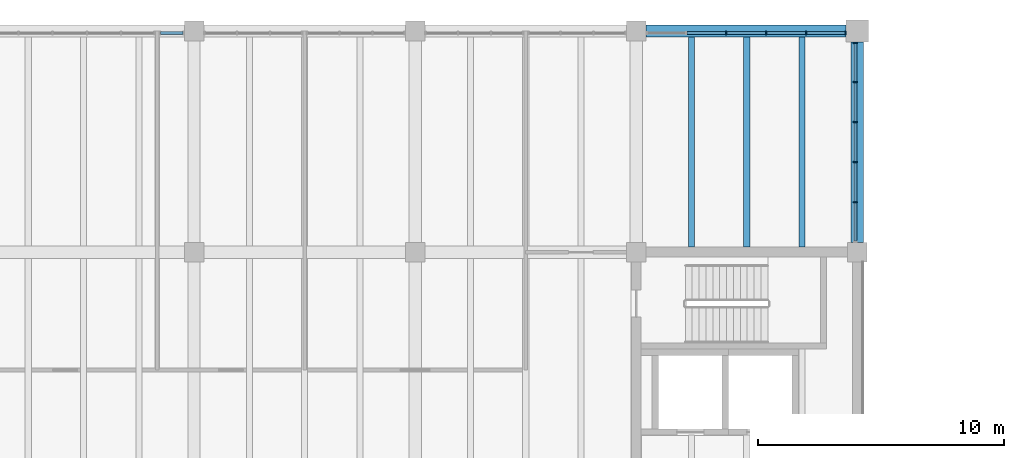
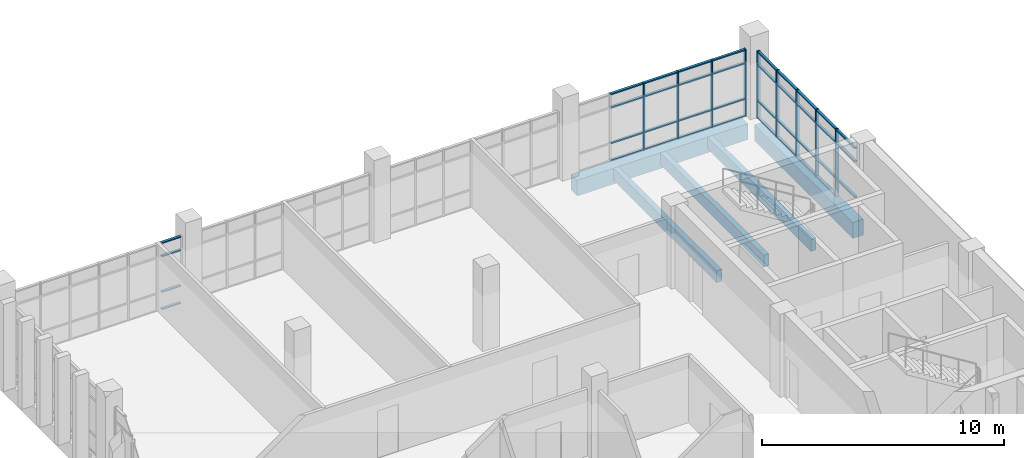
# One storey, part 11 of 29: 48 members, 5 beams, 3 elements without a shape of their own.
"""IFC4 building model written with IfcOpenShell, lengths in metres."""

from ifc_helpers import new_model, si_unit, direction, frame, origin, origin_2d, place, context, subcontext, project, spatial, rectangle, extrude, material, material_profile, profile_set, type_object, element, aggregate, save


model = new_model("IFC4")

# Units and contexts
model_context = context("Model", 3, precision=1e-05, world=origin(), true_north=direction((0.0, 1.0)))
body_context = subcontext(model_context, "Body", "Model", "MODEL_VIEW")
ifc_project = project(units=[si_unit("LENGTHUNIT", "METRE"), si_unit("AREAUNIT", "SQUARE_METRE"), si_unit("VOLUMEUNIT", "CUBIC_METRE"), si_unit("PLANEANGLEUNIT", "RADIAN"), si_unit("MASSUNIT", "GRAM", prefix="KILO")], contexts=[model_context])

# Site, building, storey
site_placement = place(None, origin())
site = spatial("IfcSite", under=ifc_project, at=site_placement, CompositionType="ELEMENT")
building_placement = place(site_placement, origin())
building = spatial("IfcBuilding", under=site, at=building_placement, Name="Merrow Basin Faculty of Sciences", CompositionType="ELEMENT")
storey_placement = place(building_placement, frame((0.0, 0.0, 22.5)))
storey = spatial("IfcBuildingStorey", under=building, at=storey_placement, Name="L05", CompositionType="ELEMENT", Elevation=22.5)

# Curtain wall, members
ifc_material_1 = material(Name="Aluminium alloy 6063", Category="aluminium")
curtain_wall_type = type_object("IfcCurtainWallType", Name="Unitised curtain wall 160", PredefinedType="NOTDEFINED", material=ifc_material_1)
curtain_wall_1_placement = place(storey_placement, origin())
curtain_wall_1 = element("IfcCurtainWall", 1, at=curtain_wall_1_placement, inside=storey, type_object=curtain_wall_type, Name="N curtain wall L05 7", PredefinedType="NOTDEFINED")
ifc_material_2 = material(Name="Aluminium alloy 6063", Category="aluminium")
ifc_material_profile_1 = material_profile(ifc_material_2, rectangle(XDim=0.159912109375, YDim=0.06005859375, at=origin_2d()))
ifc_profile_set_1 = profile_set([ifc_material_profile_1], Name="Aluminium alloy 6063")
member_type_1 = type_object("IfcMemberType", Name="Aluminium mullion 60x160", PredefinedType="MULLION", material=ifc_profile_set_1)
member_1_placement = place(storey_placement, frame((48.659912109375, 168.919921875, 0.0), z_axis=(0.0, 0.0, 1.0), x_axis=(0.0, 1.0, 0.0)))
member_1 = element("IfcMember", 2, at=member_1_placement, type_object=member_type_1, Name="CW3 mullion 3", PredefinedType="MULLION", context=body_context, shape_type="SweptSolid", body=[
    extrude(rectangle(XDim=0.159912109375, YDim=0.06005859375, at=origin_2d()), origin(), (0.0, 0.0, 1.0), 3.39990234375),
])
member_2_placement = place(storey_placement, frame((50.2900390625, 168.919921875, 0.0), z_axis=(0.0, 0.0, 1.0), x_axis=(0.0, 1.0, 0.0)))
member_2 = element("IfcMember", 3, at=member_2_placement, type_object=member_type_1, Name="CW3 mullion 4", PredefinedType="MULLION", context=body_context, shape_type="SweptSolid", body=[
    extrude(rectangle(XDim=0.159912109375, YDim=0.06005859375, at=origin_2d()), origin(), (0.0, 0.0, 1.0), 3.39990234375),
])
member_3_placement = place(storey_placement, frame((51.919921875, 168.919921875, 0.0), z_axis=(0.0, 0.0, 1.0), x_axis=(0.0, 1.0, 0.0)))
member_3 = element("IfcMember", 4, at=member_3_placement, type_object=member_type_1, Name="CW3 mullion 5", PredefinedType="MULLION", context=body_context, shape_type="SweptSolid", body=[
    extrude(rectangle(XDim=0.159912109375, YDim=0.06005859375, at=origin_2d()), origin(), (0.0, 0.0, 1.0), 3.39990234375),
])
member_4_placement = place(storey_placement, frame((53.52001953125, 168.919921875, 0.0), z_axis=(0.0, 0.0, 1.0), x_axis=(0.0, 1.0, 0.0)))
member_4 = element("IfcMember", 5, at=member_4_placement, type_object=member_type_1, Name="CW3 mullion 6", PredefinedType="MULLION", context=body_context, shape_type="SweptSolid", body=[
    extrude(rectangle(XDim=0.159912109375, YDim=0.06005859375, at=origin_2d()), origin(), (0.0, 0.0, 1.0), 3.39990234375),
])

curtain_wall_2_placement = place(storey_placement, origin())
curtain_wall_2 = element("IfcCurtainWall", 6, at=curtain_wall_2_placement, inside=storey, type_object=curtain_wall_type, Name="E curtain wall L05 1", PredefinedType="NOTDEFINED")
member_5_placement = place(storey_placement, frame((53.919921875, 162.030029296875, 0.0), z_axis=(0.0, 0.0, 1.0), x_axis=(-1.0, 0.0, 0.0)))
member_5 = element("IfcMember", 7, at=member_5_placement, type_object=member_type_1, Name="CW3 mullion 2", PredefinedType="MULLION", context=body_context, shape_type="SweptSolid", body=[
    extrude(rectangle(XDim=0.159912109375, YDim=0.06005859375, at=origin_2d()), origin(), (0.0, 0.0, 1.0), 3.39990234375),
])
member_6_placement = place(storey_placement, frame((53.919921875, 163.659912109375, 0.0), z_axis=(0.0, 0.0, 1.0), x_axis=(-1.0, 0.0, 0.0)))
member_6 = element("IfcMember", 8, at=member_6_placement, type_object=member_type_1, Name="CW3 mullion 3", PredefinedType="MULLION", context=body_context, shape_type="SweptSolid", body=[
    extrude(rectangle(XDim=0.159912109375, YDim=0.06005859375, at=origin_2d()), origin(), (0.0, 0.0, 1.0), 3.39990234375),
])
member_7_placement = place(storey_placement, frame((53.919921875, 165.2900390625, 0.0), z_axis=(0.0, 0.0, 1.0), x_axis=(-1.0, 0.0, 0.0)))
member_7 = element("IfcMember", 9, at=member_7_placement, type_object=member_type_1, Name="CW3 mullion 4", PredefinedType="MULLION", context=body_context, shape_type="SweptSolid", body=[
    extrude(rectangle(XDim=0.159912109375, YDim=0.06005859375, at=origin_2d()), origin(), (0.0, 0.0, 1.0), 3.39990234375),
])
member_8_placement = place(storey_placement, frame((53.919921875, 166.919921875, 0.0), z_axis=(0.0, 0.0, 1.0), x_axis=(-1.0, 0.0, 0.0)))
member_8 = element("IfcMember", 10, at=member_8_placement, type_object=member_type_1, Name="CW3 mullion 5", PredefinedType="MULLION", context=body_context, shape_type="SweptSolid", body=[
    extrude(rectangle(XDim=0.159912109375, YDim=0.06005859375, at=origin_2d()), origin(), (0.0, 0.0, 1.0), 3.39990234375),
])
member_9_placement = place(storey_placement, frame((53.919921875, 168.52001953125, 0.0), z_axis=(0.0, 0.0, 1.0), x_axis=(-1.0, 0.0, 0.0)))
member_9 = element("IfcMember", 11, at=member_9_placement, type_object=member_type_1, Name="CW3 mullion 6", PredefinedType="MULLION", context=body_context, shape_type="SweptSolid", body=[
    extrude(rectangle(XDim=0.159912109375, YDim=0.06005859375, at=origin_2d()), origin(), (0.0, 0.0, 1.0), 3.39990234375),
])

curtain_wall_3_placement = place(storey_placement, origin())
curtain_wall_3 = element("IfcCurtainWall", 12, at=curtain_wall_3_placement, inside=storey, type_object=curtain_wall_type, Name="N curtain wall L05 2", PredefinedType="NOTDEFINED")
ifc_material_3 = material(Name="Aluminium alloy 6063", Category="aluminium")
ifc_material_profile_2 = material_profile(ifc_material_3, rectangle(XDim=0.1201171875, YDim=0.06005859375, at=origin_2d()))
ifc_profile_set_2 = profile_set([ifc_material_profile_2], Name="Aluminium alloy 6063")
member_type_2 = type_object("IfcMemberType", Name="Aluminium transom 60x120", PredefinedType="USERDEFINED", material=ifc_profile_set_2)
member_10_placement = place(storey_placement, frame((25.635009765625, 168.919921875, 0.030029296875), z_axis=(1.0, 0.0, 0.0), x_axis=(0.0, 1.0, 0.0)))
member_10 = element("IfcMember", 13, at=member_10_placement, type_object=member_type_2, Name="CW3 transom 1.1", ObjectType="TRANSOM", PredefinedType="USERDEFINED", context=body_context, shape_type="SweptSolid", body=[
    extrude(rectangle(XDim=0.1201171875, YDim=0.06005859375, at=origin_2d()), origin(), (0.0, 0.0, 1.0), 0.905029296875),
])
member_11_placement = place(storey_placement, frame((25.635009765625, 168.919921875, 0.89990234375), z_axis=(1.0, 0.0, 0.0), x_axis=(0.0, 1.0, 0.0)))
member_11 = element("IfcMember", 14, at=member_11_placement, type_object=member_type_2, Name="CW3 transom 1.2", ObjectType="TRANSOM", PredefinedType="USERDEFINED", context=body_context, shape_type="SweptSolid", body=[
    extrude(rectangle(XDim=0.1201171875, YDim=0.06005859375, at=origin_2d()), origin(), (0.0, 0.0, 1.0), 0.905029296875),
])
member_12_placement = place(storey_placement, frame((25.635009765625, 168.919921875, 2.699951171875), z_axis=(1.0, 0.0, 0.0), x_axis=(0.0, 1.0, 0.0)))
member_12 = element("IfcMember", 15, at=member_12_placement, type_object=member_type_2, Name="CW3 transom 1.3", ObjectType="TRANSOM", PredefinedType="USERDEFINED", context=body_context, shape_type="SweptSolid", body=[
    extrude(rectangle(XDim=0.1201171875, YDim=0.06005859375, at=origin_2d()), origin(), (0.0, 0.0, 1.0), 0.905029296875),
])
member_13_placement = place(storey_placement, frame((25.635009765625, 168.919921875, 3.3701171875), z_axis=(1.0, 0.0, 0.0), x_axis=(0.0, 1.0, 0.0)))
member_13 = element("IfcMember", 16, at=member_13_placement, type_object=member_type_2, Name="CW3 transom 1.4", ObjectType="TRANSOM", PredefinedType="USERDEFINED", context=body_context, shape_type="SweptSolid", body=[
    extrude(rectangle(XDim=0.1201171875, YDim=0.06005859375, at=origin_2d()), origin(), (0.0, 0.0, 1.0), 0.905029296875),
])
aggregate(curtain_wall_3, [member_10, member_11, member_12, member_13])

# Member
member_14_placement = place(storey_placement, frame((47.06005859375, 168.919921875, 0.030029296875), z_axis=(1.0, 0.0, 0.0), x_axis=(0.0, 1.0, 0.0)))
member_14 = element("IfcMember", 17, at=member_14_placement, type_object=member_type_2, Name="CW3 transom 2.1", ObjectType="TRANSOM", PredefinedType="USERDEFINED", context=body_context, shape_type="SweptSolid", body=[
    extrude(rectangle(XDim=0.1201171875, YDim=0.06005859375, at=origin_2d()), origin(), (0.0, 0.0, 1.0), 1.56982421875),
])

member_15_placement = place(storey_placement, frame((47.06005859375, 168.919921875, 0.89990234375), z_axis=(1.0, 0.0, 0.0), x_axis=(0.0, 1.0, 0.0)))
member_15 = element("IfcMember", 18, at=member_15_placement, type_object=member_type_2, Name="CW3 transom 2.2", ObjectType="TRANSOM", PredefinedType="USERDEFINED", context=body_context, shape_type="SweptSolid", body=[
    extrude(rectangle(XDim=0.1201171875, YDim=0.06005859375, at=origin_2d()), origin(), (0.0, 0.0, 1.0), 1.56982421875),
])

member_16_placement = place(storey_placement, frame((47.06005859375, 168.919921875, 2.699951171875), z_axis=(1.0, 0.0, 0.0), x_axis=(0.0, 1.0, 0.0)))
member_16 = element("IfcMember", 19, at=member_16_placement, type_object=member_type_2, Name="CW3 transom 2.3", ObjectType="TRANSOM", PredefinedType="USERDEFINED", context=body_context, shape_type="SweptSolid", body=[
    extrude(rectangle(XDim=0.1201171875, YDim=0.06005859375, at=origin_2d()), origin(), (0.0, 0.0, 1.0), 1.56982421875),
])

member_17_placement = place(storey_placement, frame((47.06005859375, 168.919921875, 3.3701171875), z_axis=(1.0, 0.0, 0.0), x_axis=(0.0, 1.0, 0.0)))
member_17 = element("IfcMember", 20, at=member_17_placement, type_object=member_type_2, Name="CW3 transom 2.4", ObjectType="TRANSOM", PredefinedType="USERDEFINED", context=body_context, shape_type="SweptSolid", body=[
    extrude(rectangle(XDim=0.1201171875, YDim=0.06005859375, at=origin_2d()), origin(), (0.0, 0.0, 1.0), 1.56982421875),
])

member_18_placement = place(storey_placement, frame((48.68994140625, 168.919921875, 0.030029296875), z_axis=(1.0, 0.0, 0.0), x_axis=(0.0, 1.0, 0.0)))
member_18 = element("IfcMember", 21, at=member_18_placement, type_object=member_type_2, Name="CW3 transom 3.1", ObjectType="TRANSOM", PredefinedType="USERDEFINED", context=body_context, shape_type="SweptSolid", body=[
    extrude(rectangle(XDim=0.1201171875, YDim=0.06005859375, at=origin_2d()), origin(), (0.0, 0.0, 1.0), 1.570068359375),
])

member_19_placement = place(storey_placement, frame((48.68994140625, 168.919921875, 0.89990234375), z_axis=(1.0, 0.0, 0.0), x_axis=(0.0, 1.0, 0.0)))
member_19 = element("IfcMember", 22, at=member_19_placement, type_object=member_type_2, Name="CW3 transom 3.2", ObjectType="TRANSOM", PredefinedType="USERDEFINED", context=body_context, shape_type="SweptSolid", body=[
    extrude(rectangle(XDim=0.1201171875, YDim=0.06005859375, at=origin_2d()), origin(), (0.0, 0.0, 1.0), 1.570068359375),
])

member_20_placement = place(storey_placement, frame((48.68994140625, 168.919921875, 2.699951171875), z_axis=(1.0, 0.0, 0.0), x_axis=(0.0, 1.0, 0.0)))
member_20 = element("IfcMember", 23, at=member_20_placement, type_object=member_type_2, Name="CW3 transom 3.3", ObjectType="TRANSOM", PredefinedType="USERDEFINED", context=body_context, shape_type="SweptSolid", body=[
    extrude(rectangle(XDim=0.1201171875, YDim=0.06005859375, at=origin_2d()), origin(), (0.0, 0.0, 1.0), 1.570068359375),
])

member_21_placement = place(storey_placement, frame((48.68994140625, 168.919921875, 3.3701171875), z_axis=(1.0, 0.0, 0.0), x_axis=(0.0, 1.0, 0.0)))
member_21 = element("IfcMember", 24, at=member_21_placement, type_object=member_type_2, Name="CW3 transom 3.4", ObjectType="TRANSOM", PredefinedType="USERDEFINED", context=body_context, shape_type="SweptSolid", body=[
    extrude(rectangle(XDim=0.1201171875, YDim=0.06005859375, at=origin_2d()), origin(), (0.0, 0.0, 1.0), 1.570068359375),
])

member_22_placement = place(storey_placement, frame((50.320068359375, 168.919921875, 0.030029296875), z_axis=(1.0, 0.0, 0.0), x_axis=(0.0, 1.0, 0.0)))
member_22 = element("IfcMember", 25, at=member_22_placement, type_object=member_type_2, Name="CW3 transom 4.1", ObjectType="TRANSOM", PredefinedType="USERDEFINED", context=body_context, shape_type="SweptSolid", body=[
    extrude(rectangle(XDim=0.1201171875, YDim=0.06005859375, at=origin_2d()), origin(), (0.0, 0.0, 1.0), 1.56982421875),
])

member_23_placement = place(storey_placement, frame((50.320068359375, 168.919921875, 0.89990234375), z_axis=(1.0, 0.0, 0.0), x_axis=(0.0, 1.0, 0.0)))
member_23 = element("IfcMember", 26, at=member_23_placement, type_object=member_type_2, Name="CW3 transom 4.2", ObjectType="TRANSOM", PredefinedType="USERDEFINED", context=body_context, shape_type="SweptSolid", body=[
    extrude(rectangle(XDim=0.1201171875, YDim=0.06005859375, at=origin_2d()), origin(), (0.0, 0.0, 1.0), 1.56982421875),
])

member_24_placement = place(storey_placement, frame((50.320068359375, 168.919921875, 2.699951171875), z_axis=(1.0, 0.0, 0.0), x_axis=(0.0, 1.0, 0.0)))
member_24 = element("IfcMember", 27, at=member_24_placement, type_object=member_type_2, Name="CW3 transom 4.3", ObjectType="TRANSOM", PredefinedType="USERDEFINED", context=body_context, shape_type="SweptSolid", body=[
    extrude(rectangle(XDim=0.1201171875, YDim=0.06005859375, at=origin_2d()), origin(), (0.0, 0.0, 1.0), 1.56982421875),
])

member_25_placement = place(storey_placement, frame((50.320068359375, 168.919921875, 3.3701171875), z_axis=(1.0, 0.0, 0.0), x_axis=(0.0, 1.0, 0.0)))
member_25 = element("IfcMember", 28, at=member_25_placement, type_object=member_type_2, Name="CW3 transom 4.4", ObjectType="TRANSOM", PredefinedType="USERDEFINED", context=body_context, shape_type="SweptSolid", body=[
    extrude(rectangle(XDim=0.1201171875, YDim=0.06005859375, at=origin_2d()), origin(), (0.0, 0.0, 1.0), 1.56982421875),
])

member_26_placement = place(storey_placement, frame((51.949951171875, 168.919921875, 0.030029296875), z_axis=(1.0, 0.0, 0.0), x_axis=(0.0, 1.0, 0.0)))
member_26 = element("IfcMember", 29, at=member_26_placement, type_object=member_type_2, Name="CW3 transom 5.1", ObjectType="TRANSOM", PredefinedType="USERDEFINED", context=body_context, shape_type="SweptSolid", body=[
    extrude(rectangle(XDim=0.1201171875, YDim=0.06005859375, at=origin_2d()), origin(), (0.0, 0.0, 1.0), 1.5400390625),
])

member_27_placement = place(storey_placement, frame((51.949951171875, 168.919921875, 0.89990234375), z_axis=(1.0, 0.0, 0.0), x_axis=(0.0, 1.0, 0.0)))
member_27 = element("IfcMember", 30, at=member_27_placement, type_object=member_type_2, Name="CW3 transom 5.2", ObjectType="TRANSOM", PredefinedType="USERDEFINED", context=body_context, shape_type="SweptSolid", body=[
    extrude(rectangle(XDim=0.1201171875, YDim=0.06005859375, at=origin_2d()), origin(), (0.0, 0.0, 1.0), 1.5400390625),
])

member_28_placement = place(storey_placement, frame((51.949951171875, 168.919921875, 2.699951171875), z_axis=(1.0, 0.0, 0.0), x_axis=(0.0, 1.0, 0.0)))
member_28 = element("IfcMember", 31, at=member_28_placement, type_object=member_type_2, Name="CW3 transom 5.3", ObjectType="TRANSOM", PredefinedType="USERDEFINED", context=body_context, shape_type="SweptSolid", body=[
    extrude(rectangle(XDim=0.1201171875, YDim=0.06005859375, at=origin_2d()), origin(), (0.0, 0.0, 1.0), 1.5400390625),
])

member_29_placement = place(storey_placement, frame((51.949951171875, 168.919921875, 3.3701171875), z_axis=(1.0, 0.0, 0.0), x_axis=(0.0, 1.0, 0.0)))
member_29 = element("IfcMember", 32, at=member_29_placement, type_object=member_type_2, Name="CW3 transom 5.4", ObjectType="TRANSOM", PredefinedType="USERDEFINED", context=body_context, shape_type="SweptSolid", body=[
    extrude(rectangle(XDim=0.1201171875, YDim=0.06005859375, at=origin_2d()), origin(), (0.0, 0.0, 1.0), 1.5400390625),
])

aggregate(curtain_wall_1, [member_1, member_2, member_3, member_4, member_14, member_15, member_16, member_17, member_18, member_19, member_20, member_21, member_22, member_23, member_24, member_25, member_26, member_27, member_28, member_29])

member_30_placement = place(storey_placement, frame((53.919921875, 160.4599609375, 0.89990234375), z_axis=(0.0, 1.0, 0.0), x_axis=(-1.0, 0.0, 0.0)))
member_30 = element("IfcMember", 33, at=member_30_placement, type_object=member_type_2, Name="CW3 transom 1.2", ObjectType="TRANSOM", PredefinedType="USERDEFINED", context=body_context, shape_type="SweptSolid", body=[
    extrude(rectangle(XDim=0.1201171875, YDim=0.06005859375, at=origin_2d()), origin(), (0.0, 0.0, 1.0), 1.5400390625),
])

member_31_placement = place(storey_placement, frame((53.919921875, 160.4599609375, 2.699951171875), z_axis=(0.0, 1.0, 0.0), x_axis=(-1.0, 0.0, 0.0)))
member_31 = element("IfcMember", 34, at=member_31_placement, type_object=member_type_2, Name="CW3 transom 1.3", ObjectType="TRANSOM", PredefinedType="USERDEFINED", context=body_context, shape_type="SweptSolid", body=[
    extrude(rectangle(XDim=0.1201171875, YDim=0.06005859375, at=origin_2d()), origin(), (0.0, 0.0, 1.0), 1.5400390625),
])

member_32_placement = place(storey_placement, frame((53.919921875, 160.4599609375, 3.3701171875), z_axis=(0.0, 1.0, 0.0), x_axis=(-1.0, 0.0, 0.0)))
member_32 = element("IfcMember", 35, at=member_32_placement, type_object=member_type_2, Name="CW3 transom 1.4", ObjectType="TRANSOM", PredefinedType="USERDEFINED", context=body_context, shape_type="SweptSolid", body=[
    extrude(rectangle(XDim=0.1201171875, YDim=0.06005859375, at=origin_2d()), origin(), (0.0, 0.0, 1.0), 1.5400390625),
])

member_33_placement = place(storey_placement, frame((53.919921875, 162.06005859375, 0.030029296875), z_axis=(0.0, 1.0, 0.0), x_axis=(-1.0, 0.0, 0.0)))
member_33 = element("IfcMember", 36, at=member_33_placement, type_object=member_type_2, Name="CW3 transom 2.1", ObjectType="TRANSOM", PredefinedType="USERDEFINED", context=body_context, shape_type="SweptSolid", body=[
    extrude(rectangle(XDim=0.1201171875, YDim=0.06005859375, at=origin_2d()), origin(), (0.0, 0.0, 1.0), 1.56982421875),
])

member_34_placement = place(storey_placement, frame((53.919921875, 162.06005859375, 0.89990234375), z_axis=(0.0, 1.0, 0.0), x_axis=(-1.0, 0.0, 0.0)))
member_34 = element("IfcMember", 37, at=member_34_placement, type_object=member_type_2, Name="CW3 transom 2.2", ObjectType="TRANSOM", PredefinedType="USERDEFINED", context=body_context, shape_type="SweptSolid", body=[
    extrude(rectangle(XDim=0.1201171875, YDim=0.06005859375, at=origin_2d()), origin(), (0.0, 0.0, 1.0), 1.56982421875),
])

member_35_placement = place(storey_placement, frame((53.919921875, 162.06005859375, 2.699951171875), z_axis=(0.0, 1.0, 0.0), x_axis=(-1.0, 0.0, 0.0)))
member_35 = element("IfcMember", 38, at=member_35_placement, type_object=member_type_2, Name="CW3 transom 2.3", ObjectType="TRANSOM", PredefinedType="USERDEFINED", context=body_context, shape_type="SweptSolid", body=[
    extrude(rectangle(XDim=0.1201171875, YDim=0.06005859375, at=origin_2d()), origin(), (0.0, 0.0, 1.0), 1.56982421875),
])

member_36_placement = place(storey_placement, frame((53.919921875, 162.06005859375, 3.3701171875), z_axis=(0.0, 1.0, 0.0), x_axis=(-1.0, 0.0, 0.0)))
member_36 = element("IfcMember", 39, at=member_36_placement, type_object=member_type_2, Name="CW3 transom 2.4", ObjectType="TRANSOM", PredefinedType="USERDEFINED", context=body_context, shape_type="SweptSolid", body=[
    extrude(rectangle(XDim=0.1201171875, YDim=0.06005859375, at=origin_2d()), origin(), (0.0, 0.0, 1.0), 1.56982421875),
])

member_37_placement = place(storey_placement, frame((53.919921875, 163.68994140625, 0.030029296875), z_axis=(0.0, 1.0, 0.0), x_axis=(-1.0, 0.0, 0.0)))
member_37 = element("IfcMember", 40, at=member_37_placement, type_object=member_type_2, Name="CW3 transom 3.1", ObjectType="TRANSOM", PredefinedType="USERDEFINED", context=body_context, shape_type="SweptSolid", body=[
    extrude(rectangle(XDim=0.1201171875, YDim=0.06005859375, at=origin_2d()), origin(), (0.0, 0.0, 1.0), 1.570068359375),
])

member_38_placement = place(storey_placement, frame((53.919921875, 163.68994140625, 0.89990234375), z_axis=(0.0, 1.0, 0.0), x_axis=(-1.0, 0.0, 0.0)))
member_38 = element("IfcMember", 41, at=member_38_placement, type_object=member_type_2, Name="CW3 transom 3.2", ObjectType="TRANSOM", PredefinedType="USERDEFINED", context=body_context, shape_type="SweptSolid", body=[
    extrude(rectangle(XDim=0.1201171875, YDim=0.06005859375, at=origin_2d()), origin(), (0.0, 0.0, 1.0), 1.570068359375),
])

member_39_placement = place(storey_placement, frame((53.919921875, 163.68994140625, 2.699951171875), z_axis=(0.0, 1.0, 0.0), x_axis=(-1.0, 0.0, 0.0)))
member_39 = element("IfcMember", 42, at=member_39_placement, type_object=member_type_2, Name="CW3 transom 3.3", ObjectType="TRANSOM", PredefinedType="USERDEFINED", context=body_context, shape_type="SweptSolid", body=[
    extrude(rectangle(XDim=0.1201171875, YDim=0.06005859375, at=origin_2d()), origin(), (0.0, 0.0, 1.0), 1.570068359375),
])

member_40_placement = place(storey_placement, frame((53.919921875, 163.68994140625, 3.3701171875), z_axis=(0.0, 1.0, 0.0), x_axis=(-1.0, 0.0, 0.0)))
member_40 = element("IfcMember", 43, at=member_40_placement, type_object=member_type_2, Name="CW3 transom 3.4", ObjectType="TRANSOM", PredefinedType="USERDEFINED", context=body_context, shape_type="SweptSolid", body=[
    extrude(rectangle(XDim=0.1201171875, YDim=0.06005859375, at=origin_2d()), origin(), (0.0, 0.0, 1.0), 1.570068359375),
])

member_41_placement = place(storey_placement, frame((53.919921875, 165.320068359375, 0.030029296875), z_axis=(0.0, 1.0, 0.0), x_axis=(-1.0, 0.0, 0.0)))
member_41 = element("IfcMember", 44, at=member_41_placement, type_object=member_type_2, Name="CW3 transom 4.1", ObjectType="TRANSOM", PredefinedType="USERDEFINED", context=body_context, shape_type="SweptSolid", body=[
    extrude(rectangle(XDim=0.1201171875, YDim=0.06005859375, at=origin_2d()), origin(), (0.0, 0.0, 1.0), 1.56982421875),
])

member_42_placement = place(storey_placement, frame((53.919921875, 165.320068359375, 0.89990234375), z_axis=(0.0, 1.0, 0.0), x_axis=(-1.0, 0.0, 0.0)))
member_42 = element("IfcMember", 45, at=member_42_placement, type_object=member_type_2, Name="CW3 transom 4.2", ObjectType="TRANSOM", PredefinedType="USERDEFINED", context=body_context, shape_type="SweptSolid", body=[
    extrude(rectangle(XDim=0.1201171875, YDim=0.06005859375, at=origin_2d()), origin(), (0.0, 0.0, 1.0), 1.56982421875),
])

member_43_placement = place(storey_placement, frame((53.919921875, 165.320068359375, 2.699951171875), z_axis=(0.0, 1.0, 0.0), x_axis=(-1.0, 0.0, 0.0)))
member_43 = element("IfcMember", 46, at=member_43_placement, type_object=member_type_2, Name="CW3 transom 4.3", ObjectType="TRANSOM", PredefinedType="USERDEFINED", context=body_context, shape_type="SweptSolid", body=[
    extrude(rectangle(XDim=0.1201171875, YDim=0.06005859375, at=origin_2d()), origin(), (0.0, 0.0, 1.0), 1.56982421875),
])

member_44_placement = place(storey_placement, frame((53.919921875, 165.320068359375, 3.3701171875), z_axis=(0.0, 1.0, 0.0), x_axis=(-1.0, 0.0, 0.0)))
member_44 = element("IfcMember", 47, at=member_44_placement, type_object=member_type_2, Name="CW3 transom 4.4", ObjectType="TRANSOM", PredefinedType="USERDEFINED", context=body_context, shape_type="SweptSolid", body=[
    extrude(rectangle(XDim=0.1201171875, YDim=0.06005859375, at=origin_2d()), origin(), (0.0, 0.0, 1.0), 1.56982421875),
])

member_45_placement = place(storey_placement, frame((53.919921875, 166.949951171875, 0.030029296875), z_axis=(0.0, 1.0, 0.0), x_axis=(-1.0, 0.0, 0.0)))
member_45 = element("IfcMember", 48, at=member_45_placement, type_object=member_type_2, Name="CW3 transom 5.1", ObjectType="TRANSOM", PredefinedType="USERDEFINED", context=body_context, shape_type="SweptSolid", body=[
    extrude(rectangle(XDim=0.1201171875, YDim=0.06005859375, at=origin_2d()), origin(), (0.0, 0.0, 1.0), 1.5400390625),
])

member_46_placement = place(storey_placement, frame((53.919921875, 166.949951171875, 0.89990234375), z_axis=(0.0, 1.0, 0.0), x_axis=(-1.0, 0.0, 0.0)))
member_46 = element("IfcMember", 49, at=member_46_placement, type_object=member_type_2, Name="CW3 transom 5.2", ObjectType="TRANSOM", PredefinedType="USERDEFINED", context=body_context, shape_type="SweptSolid", body=[
    extrude(rectangle(XDim=0.1201171875, YDim=0.06005859375, at=origin_2d()), origin(), (0.0, 0.0, 1.0), 1.5400390625),
])

member_47_placement = place(storey_placement, frame((53.919921875, 166.949951171875, 2.699951171875), z_axis=(0.0, 1.0, 0.0), x_axis=(-1.0, 0.0, 0.0)))
member_47 = element("IfcMember", 50, at=member_47_placement, type_object=member_type_2, Name="CW3 transom 5.3", ObjectType="TRANSOM", PredefinedType="USERDEFINED", context=body_context, shape_type="SweptSolid", body=[
    extrude(rectangle(XDim=0.1201171875, YDim=0.06005859375, at=origin_2d()), origin(), (0.0, 0.0, 1.0), 1.5400390625),
])

member_48_placement = place(storey_placement, frame((53.919921875, 166.949951171875, 3.3701171875), z_axis=(0.0, 1.0, 0.0), x_axis=(-1.0, 0.0, 0.0)))
member_48 = element("IfcMember", 51, at=member_48_placement, type_object=member_type_2, Name="CW3 transom 5.4", ObjectType="TRANSOM", PredefinedType="USERDEFINED", context=body_context, shape_type="SweptSolid", body=[
    extrude(rectangle(XDim=0.1201171875, YDim=0.06005859375, at=origin_2d()), origin(), (0.0, 0.0, 1.0), 1.5400390625),
])

aggregate(curtain_wall_2, [member_5, member_6, member_7, member_8, member_9, member_30, member_31, member_32, member_33, member_34, member_35, member_36, member_37, member_38, member_39, member_40, member_41, member_42, member_43, member_44, member_45, member_46, member_47, member_48])

# Beams
ifc_material_4 = material(Name="Concrete C40/50", Category="concrete")
ifc_material_profile_3 = material_profile(ifc_material_4, rectangle(XDim=0.5, YDim=0.800048828125, at=origin_2d()))
ifc_profile_set_3 = profile_set([ifc_material_profile_3], Name="Concrete C40/50")
beam_type_1 = type_object("IfcBeamType", Name="Beam RC500x800 C40/50", PredefinedType="BEAM", material=ifc_profile_set_3)
for number, where, z_axis, x_axis, name in (
    (52, (45.39990234375, 169.0, -0.699951171875), (1.0, 0.0, 0.0), (0.0, 1.0, 0.0), "B4 L05 012"),
    (53, (54.0, 160.39990234375, -0.699951171875), (0.0, 1.0, 0.0), (-1.0, 0.0, 0.0), "B4 L05 021"),
):
    element("IfcBeam", number, at=place(storey_placement, frame(where, z_axis=z_axis, x_axis=x_axis)), inside=storey, type_object=beam_type_1, Name=name, PredefinedType="BEAM", context=body_context, shape_type="SweptSolid", body=[
        extrude(rectangle(XDim=0.5, YDim=0.800048828125, at=origin_2d()), origin(), (0.0, 0.0, 1.0), 8.150146484375),
    ])
ifc_material_5 = material(Name="Concrete C40/50", Category="concrete")
ifc_material_profile_4 = material_profile(ifc_material_5, rectangle(XDim=0.25, YDim=0.60009765625, at=origin_2d()))
ifc_profile_set_4 = profile_set([ifc_material_profile_4], Name="Concrete C40/50")
beam_type_2 = type_object("IfcBeamType", Name="Tower floor joist RC250x600 C40/50", PredefinedType="BEAM", material=ifc_profile_set_4)
for number, where, z_axis, x_axis, name in (
    (54, (47.25, 160.199951171875, -0.60009765625), (0.0, 1.0, 0.0), (-1.0, 0.0, 0.0), "JT1 L05 056"),
    (55, (49.5, 160.199951171875, -0.60009765625), (0.0, 1.0, 0.0), (-1.0, 0.0, 0.0), "JT1 L05 057"),
    (56, (51.75, 160.199951171875, -0.60009765625), (0.0, 1.0, 0.0), (-1.0, 0.0, 0.0), "JT1 L05 058"),
):
    element("IfcBeam", number, at=place(storey_placement, frame(where, z_axis=z_axis, x_axis=x_axis)), inside=storey, type_object=beam_type_2, Name=name, PredefinedType="BEAM", context=body_context, shape_type="SweptSolid", body=[
        extrude(rectangle(XDim=0.25, YDim=0.60009765625, at=origin_2d()), origin(), (0.0, 0.0, 1.0), 8.550048828125),
    ])

save(model, "model.ifc")
